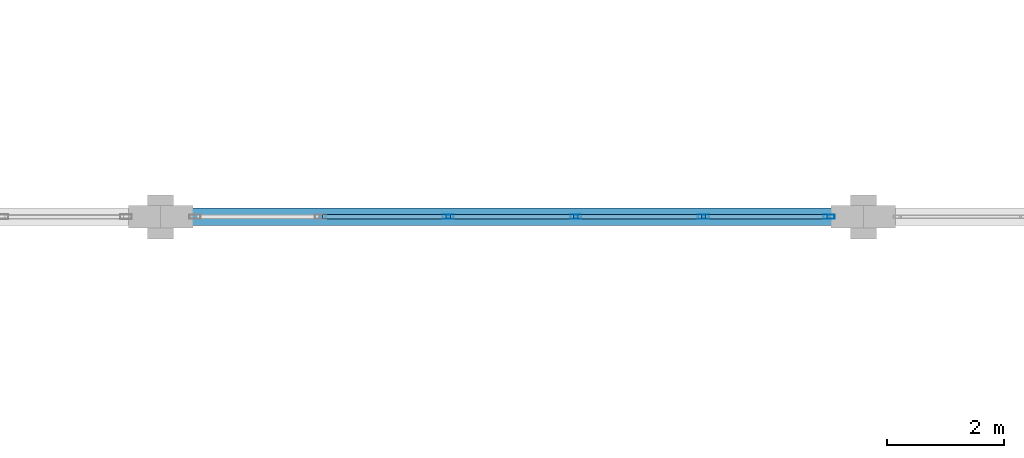
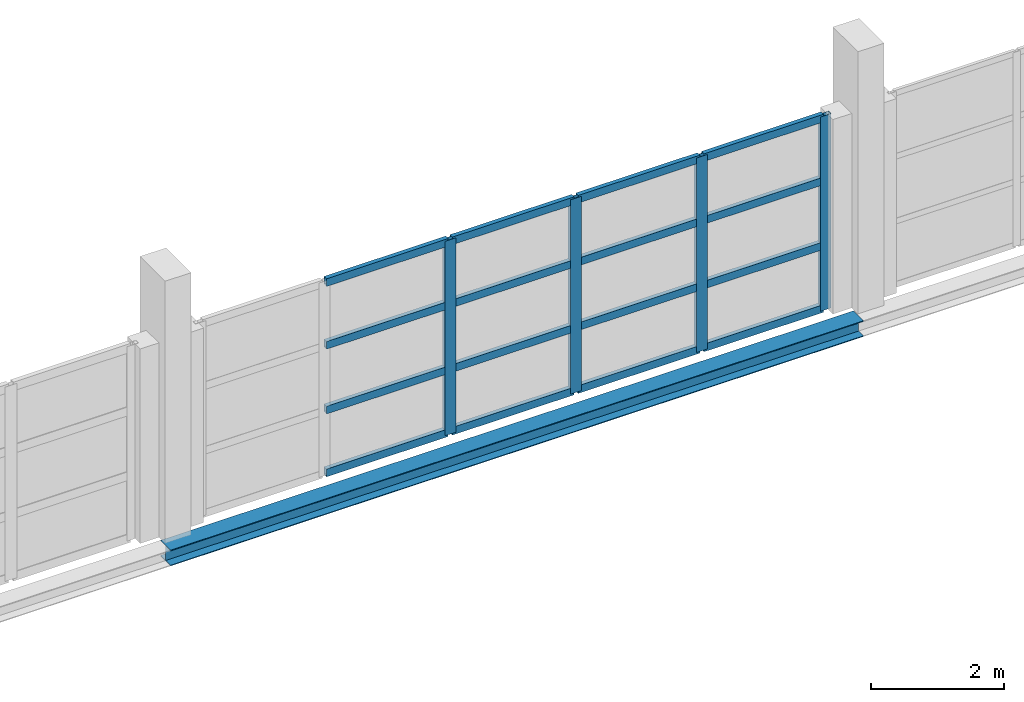
# One storey, part 81 of 147: 20 members, 1 beam, 1 element without a shape of its own.
"""IFC4 building model written with IfcOpenShell, lengths in metres."""

from ifc_helpers import new_model, si_unit, direction, frame, origin, origin_2d, place, context, subcontext, project, spatial, hollow_rectangle, i_section, extrude, material, layer, layer_set, material_profile, profile_set, type_object, element, aggregate, save


model = new_model("IFC4")

# Units and contexts
model_context = context("Model", 3, precision=1e-05, world=origin(), true_north=direction((0.0, 1.0)))
body_context = subcontext(model_context, "Body", "Model", "MODEL_VIEW")
ifc_project = project(units=[si_unit("LENGTHUNIT", "METRE"), si_unit("AREAUNIT", "SQUARE_METRE"), si_unit("VOLUMEUNIT", "CUBIC_METRE"), si_unit("PLANEANGLEUNIT", "RADIAN"), si_unit("MASSUNIT", "GRAM", prefix="KILO")], contexts=[model_context])

# Site, building, storey
site_placement = place(None, origin())
site = spatial("IfcSite", under=ifc_project, at=site_placement, CompositionType="ELEMENT")
building_placement = place(site_placement, origin())
building = spatial("IfcBuilding", under=site, at=building_placement, Name="Zilviju Railside Exhibition Hall", CompositionType="ELEMENT")
storey_placement = place(building_placement, frame((0.0, 0.0, 8.39990234375)))
storey = spatial("IfcBuildingStorey", under=building, at=storey_placement, Name="L03", CompositionType="ELEMENT", Elevation=8.39990234375)

# Beam
ifc_material_1 = material(Name="Steel S355J2", Category="steel")
ifc_material_profile_1 = material_profile(ifc_material_1, i_section(OverallWidth=0.300048828125, OverallDepth=0.2900390625, WebThickness=0.008544921875, FlangeThickness=0.013916015625, at=origin_2d()), Name="HEA 300")
ifc_profile_set_1 = profile_set([ifc_material_profile_1], Name="Steel S355J2")
beam_type = type_object("IfcBeamType", Name="BM-HEA300", PredefinedType="SPANDREL", material=ifc_profile_set_1)
beam_placement = place(storey_placement, frame((180.0, 54.0, -0.48486328125), z_axis=(1.0, 0.0, 0.0), x_axis=(0.0, 1.0, 0.0)))
element("IfcBeam", 1, at=beam_placement, inside=storey, type_object=beam_type, Name="Primary Girder L03 Y=54.0 (180.0..192.0)", PredefinedType="SPANDREL", context=body_context, shape_type="SweptSolid", body=[
    extrude(i_section(OverallWidth=0.300048828125, OverallDepth=0.2900390625, WebThickness=0.008544921875, FlangeThickness=0.013916015625, at=origin_2d()), origin(), (0.0, 0.0, 1.0), 12.0),
])

# Curtain wall, members
ifc_material_2 = material(Name="Thermally broken aluminium-steel triple-glazed curtain wall", Category="steel")
ifc_layer = layer(ifc_material_2, 0.179931640625)
ifc_layer_set = layer_set([ifc_layer], Name="Thermally broken aluminium-steel triple-glazed curtain wall")
curtain_wall_type = type_object("IfcCurtainWallType", Name="CW-BAY-13", PredefinedType="USERDEFINED", material=ifc_layer_set)
curtain_wall_placement = place(storey_placement, origin())
curtain_wall = element("IfcCurtainWall", 2, at=curtain_wall_placement, inside=storey, type_object=curtain_wall_type, Name="South Hall Garden Court Curtain Wall L03 (180..192)", ObjectType="GLAZED CURTAIN WALL", PredefinedType="USERDEFINED")
ifc_material_3 = material(Name="Thermally broken anodized aluminium mullion", Category="aluminium")
ifc_material_profile_2 = material_profile(ifc_material_3, hollow_rectangle(XDim=0.074951171875, YDim=0.18994140625, WallThickness=0.0048828125, at=origin_2d()), Name="MULLION 190x75x5")
ifc_profile_set_2 = profile_set([ifc_material_profile_2], Name="Thermally broken anodized aluminium mullion")
member_type_1 = type_object("IfcMemberType", Name="CWM-75x190", PredefinedType="MULLION", material=ifc_profile_set_2)
member_1_placement = place(storey_placement, frame((184.909912109375, 54.0, 0.0), z_axis=(0.0, 0.0, 1.0), x_axis=(0.0, 1.0, 0.0)))
member_1 = element("IfcMember", 3, at=member_1_placement, type_object=member_type_1, Name="CW-13 mullion 3", PredefinedType="MULLION", context=body_context, shape_type="SweptSolid", body=[
    extrude(hollow_rectangle(XDim=0.074951171875, YDim=0.18994140625, WallThickness=0.0048828125, at=origin_2d()), origin(), (0.0, 0.0, 1.0), 3.56005859375),
])
member_2_placement = place(storey_placement, frame((187.090087890625, 54.0, 0.0), z_axis=(0.0, 0.0, 1.0), x_axis=(0.0, 1.0, 0.0)))
member_2 = element("IfcMember", 4, at=member_2_placement, type_object=member_type_1, Name="CW-13 mullion 4", PredefinedType="MULLION", context=body_context, shape_type="SweptSolid", body=[
    extrude(hollow_rectangle(XDim=0.074951171875, YDim=0.18994140625, WallThickness=0.0048828125, at=origin_2d()), origin(), (0.0, 0.0, 1.0), 3.56005859375),
])
member_3_placement = place(storey_placement, frame((189.27001953125, 54.0, 0.0), z_axis=(0.0, 0.0, 1.0), x_axis=(0.0, 1.0, 0.0)))
member_3 = element("IfcMember", 5, at=member_3_placement, type_object=member_type_1, Name="CW-13 mullion 5", PredefinedType="MULLION", context=body_context, shape_type="SweptSolid", body=[
    extrude(hollow_rectangle(XDim=0.074951171875, YDim=0.18994140625, WallThickness=0.0048828125, at=origin_2d()), origin(), (0.0, 0.0, 1.0), 3.56005859375),
])
member_4_placement = place(storey_placement, frame((191.41259765625, 54.0, 0.0), z_axis=(0.0, 0.0, 1.0), x_axis=(0.0, 1.0, 0.0)))
member_4 = element("IfcMember", 6, at=member_4_placement, type_object=member_type_1, Name="CW-13 mullion 6", PredefinedType="MULLION", context=body_context, shape_type="SweptSolid", body=[
    extrude(hollow_rectangle(XDim=0.074951171875, YDim=0.18994140625, WallThickness=0.0048828125, at=origin_2d()), origin(), (0.0, 0.0, 1.0), 3.56005859375),
])
ifc_material_4 = material(Name="Thermally broken anodized aluminium transom", Category="aluminium")
ifc_material_profile_3 = material_profile(ifc_material_4, hollow_rectangle(XDim=0.074951171875, YDim=0.139892578125, WallThickness=0.0048828125, at=origin_2d()), Name="TRANSOM 140x75x5")
ifc_profile_set_3 = profile_set([ifc_material_profile_3], Name="Thermally broken anodized aluminium transom")
member_type_2 = type_object("IfcMemberType", Name="CWT-75x140", PredefinedType="USERDEFINED", material=ifc_profile_set_3)
member_5_placement = place(storey_placement, frame((182.767578125, 54.0, 0.03759765625), z_axis=(1.0, 0.0, 0.0), x_axis=(0.0, 1.0, 0.0)))
member_5 = element("IfcMember", 7, at=member_5_placement, type_object=member_type_2, Name="CW-13 transom 2.1", ObjectType="TRANSOM", PredefinedType="USERDEFINED", context=body_context, shape_type="SweptSolid", body=[
    extrude(hollow_rectangle(XDim=0.074951171875, YDim=0.139892578125, WallThickness=0.0048828125, at=origin_2d()), origin(), (0.0, 0.0, 1.0), 2.10498046875),
])
member_6_placement = place(storey_placement, frame((182.767578125, 54.0, 1.18701171875), z_axis=(1.0, 0.0, 0.0), x_axis=(0.0, 1.0, 0.0)))
member_6 = element("IfcMember", 8, at=member_6_placement, type_object=member_type_2, Name="CW-13 transom 2.2", ObjectType="TRANSOM", PredefinedType="USERDEFINED", context=body_context, shape_type="SweptSolid", body=[
    extrude(hollow_rectangle(XDim=0.074951171875, YDim=0.139892578125, WallThickness=0.0048828125, at=origin_2d()), origin(), (0.0, 0.0, 1.0), 2.10498046875),
])
member_7_placement = place(storey_placement, frame((182.767578125, 54.0, 2.373046875), z_axis=(1.0, 0.0, 0.0), x_axis=(0.0, 1.0, 0.0)))
member_7 = element("IfcMember", 9, at=member_7_placement, type_object=member_type_2, Name="CW-13 transom 2.3", ObjectType="TRANSOM", PredefinedType="USERDEFINED", context=body_context, shape_type="SweptSolid", body=[
    extrude(hollow_rectangle(XDim=0.074951171875, YDim=0.139892578125, WallThickness=0.0048828125, at=origin_2d()), origin(), (0.0, 0.0, 1.0), 2.10498046875),
])
member_8_placement = place(storey_placement, frame((182.767578125, 54.0, 3.522705078125), z_axis=(1.0, 0.0, 0.0), x_axis=(0.0, 1.0, 0.0)))
member_8 = element("IfcMember", 10, at=member_8_placement, type_object=member_type_2, Name="CW-13 transom 2.4", ObjectType="TRANSOM", PredefinedType="USERDEFINED", context=body_context, shape_type="SweptSolid", body=[
    extrude(hollow_rectangle(XDim=0.074951171875, YDim=0.139892578125, WallThickness=0.0048828125, at=origin_2d()), origin(), (0.0, 0.0, 1.0), 2.10498046875),
])
member_9_placement = place(storey_placement, frame((184.947509765625, 54.0, 0.03759765625), z_axis=(1.0, 0.0, 0.0), x_axis=(0.0, 1.0, 0.0)))
member_9 = element("IfcMember", 11, at=member_9_placement, type_object=member_type_2, Name="CW-13 transom 3.1", ObjectType="TRANSOM", PredefinedType="USERDEFINED", context=body_context, shape_type="SweptSolid", body=[
    extrude(hollow_rectangle(XDim=0.074951171875, YDim=0.139892578125, WallThickness=0.0048828125, at=origin_2d()), origin(), (0.0, 0.0, 1.0), 2.10498046875),
])
member_10_placement = place(storey_placement, frame((184.947509765625, 54.0, 1.18701171875), z_axis=(1.0, 0.0, 0.0), x_axis=(0.0, 1.0, 0.0)))
member_10 = element("IfcMember", 12, at=member_10_placement, type_object=member_type_2, Name="CW-13 transom 3.2", ObjectType="TRANSOM", PredefinedType="USERDEFINED", context=body_context, shape_type="SweptSolid", body=[
    extrude(hollow_rectangle(XDim=0.074951171875, YDim=0.139892578125, WallThickness=0.0048828125, at=origin_2d()), origin(), (0.0, 0.0, 1.0), 2.10498046875),
])
member_11_placement = place(storey_placement, frame((184.947509765625, 54.0, 2.373046875), z_axis=(1.0, 0.0, 0.0), x_axis=(0.0, 1.0, 0.0)))
member_11 = element("IfcMember", 13, at=member_11_placement, type_object=member_type_2, Name="CW-13 transom 3.3", ObjectType="TRANSOM", PredefinedType="USERDEFINED", context=body_context, shape_type="SweptSolid", body=[
    extrude(hollow_rectangle(XDim=0.074951171875, YDim=0.139892578125, WallThickness=0.0048828125, at=origin_2d()), origin(), (0.0, 0.0, 1.0), 2.10498046875),
])
member_12_placement = place(storey_placement, frame((184.947509765625, 54.0, 3.522705078125), z_axis=(1.0, 0.0, 0.0), x_axis=(0.0, 1.0, 0.0)))
member_12 = element("IfcMember", 14, at=member_12_placement, type_object=member_type_2, Name="CW-13 transom 3.4", ObjectType="TRANSOM", PredefinedType="USERDEFINED", context=body_context, shape_type="SweptSolid", body=[
    extrude(hollow_rectangle(XDim=0.074951171875, YDim=0.139892578125, WallThickness=0.0048828125, at=origin_2d()), origin(), (0.0, 0.0, 1.0), 2.10498046875),
])
member_13_placement = place(storey_placement, frame((187.12744140625, 54.0, 0.03759765625), z_axis=(1.0, 0.0, 0.0), x_axis=(0.0, 1.0, 0.0)))
member_13 = element("IfcMember", 15, at=member_13_placement, type_object=member_type_2, Name="CW-13 transom 4.1", ObjectType="TRANSOM", PredefinedType="USERDEFINED", context=body_context, shape_type="SweptSolid", body=[
    extrude(hollow_rectangle(XDim=0.074951171875, YDim=0.139892578125, WallThickness=0.0048828125, at=origin_2d()), origin(), (0.0, 0.0, 1.0), 2.10498046875),
])
member_14_placement = place(storey_placement, frame((187.12744140625, 54.0, 1.18701171875), z_axis=(1.0, 0.0, 0.0), x_axis=(0.0, 1.0, 0.0)))
member_14 = element("IfcMember", 16, at=member_14_placement, type_object=member_type_2, Name="CW-13 transom 4.2", ObjectType="TRANSOM", PredefinedType="USERDEFINED", context=body_context, shape_type="SweptSolid", body=[
    extrude(hollow_rectangle(XDim=0.074951171875, YDim=0.139892578125, WallThickness=0.0048828125, at=origin_2d()), origin(), (0.0, 0.0, 1.0), 2.10498046875),
])
member_15_placement = place(storey_placement, frame((187.12744140625, 54.0, 2.373046875), z_axis=(1.0, 0.0, 0.0), x_axis=(0.0, 1.0, 0.0)))
member_15 = element("IfcMember", 17, at=member_15_placement, type_object=member_type_2, Name="CW-13 transom 4.3", ObjectType="TRANSOM", PredefinedType="USERDEFINED", context=body_context, shape_type="SweptSolid", body=[
    extrude(hollow_rectangle(XDim=0.074951171875, YDim=0.139892578125, WallThickness=0.0048828125, at=origin_2d()), origin(), (0.0, 0.0, 1.0), 2.10498046875),
])
member_16_placement = place(storey_placement, frame((187.12744140625, 54.0, 3.522705078125), z_axis=(1.0, 0.0, 0.0), x_axis=(0.0, 1.0, 0.0)))
member_16 = element("IfcMember", 18, at=member_16_placement, type_object=member_type_2, Name="CW-13 transom 4.4", ObjectType="TRANSOM", PredefinedType="USERDEFINED", context=body_context, shape_type="SweptSolid", body=[
    extrude(hollow_rectangle(XDim=0.074951171875, YDim=0.139892578125, WallThickness=0.0048828125, at=origin_2d()), origin(), (0.0, 0.0, 1.0), 2.10498046875),
])
member_17_placement = place(storey_placement, frame((189.3076171875, 54.0, 0.03759765625), z_axis=(1.0, 0.0, 0.0), x_axis=(0.0, 1.0, 0.0)))
member_17 = element("IfcMember", 19, at=member_17_placement, type_object=member_type_2, Name="CW-13 transom 5.1", ObjectType="TRANSOM", PredefinedType="USERDEFINED", context=body_context, shape_type="SweptSolid", body=[
    extrude(hollow_rectangle(XDim=0.074951171875, YDim=0.139892578125, WallThickness=0.0048828125, at=origin_2d()), origin(), (0.0, 0.0, 1.0), 2.0673828125),
])
member_18_placement = place(storey_placement, frame((189.3076171875, 54.0, 1.18701171875), z_axis=(1.0, 0.0, 0.0), x_axis=(0.0, 1.0, 0.0)))
member_18 = element("IfcMember", 20, at=member_18_placement, type_object=member_type_2, Name="CW-13 transom 5.2", ObjectType="TRANSOM", PredefinedType="USERDEFINED", context=body_context, shape_type="SweptSolid", body=[
    extrude(hollow_rectangle(XDim=0.074951171875, YDim=0.139892578125, WallThickness=0.0048828125, at=origin_2d()), origin(), (0.0, 0.0, 1.0), 2.0673828125),
])
member_19_placement = place(storey_placement, frame((189.3076171875, 54.0, 2.373046875), z_axis=(1.0, 0.0, 0.0), x_axis=(0.0, 1.0, 0.0)))
member_19 = element("IfcMember", 21, at=member_19_placement, type_object=member_type_2, Name="CW-13 transom 5.3", ObjectType="TRANSOM", PredefinedType="USERDEFINED", context=body_context, shape_type="SweptSolid", body=[
    extrude(hollow_rectangle(XDim=0.074951171875, YDim=0.139892578125, WallThickness=0.0048828125, at=origin_2d()), origin(), (0.0, 0.0, 1.0), 2.0673828125),
])
member_20_placement = place(storey_placement, frame((189.3076171875, 54.0, 3.522705078125), z_axis=(1.0, 0.0, 0.0), x_axis=(0.0, 1.0, 0.0)))
member_20 = element("IfcMember", 22, at=member_20_placement, type_object=member_type_2, Name="CW-13 transom 5.4", ObjectType="TRANSOM", PredefinedType="USERDEFINED", context=body_context, shape_type="SweptSolid", body=[
    extrude(hollow_rectangle(XDim=0.074951171875, YDim=0.139892578125, WallThickness=0.0048828125, at=origin_2d()), origin(), (0.0, 0.0, 1.0), 2.0673828125),
])
aggregate(curtain_wall, [member_1, member_2, member_3, member_4, member_5, member_6, member_7, member_8, member_9, member_10, member_11, member_12, member_13, member_14, member_15, member_16, member_17, member_18, member_19, member_20])

save(model, "model.ifc")
